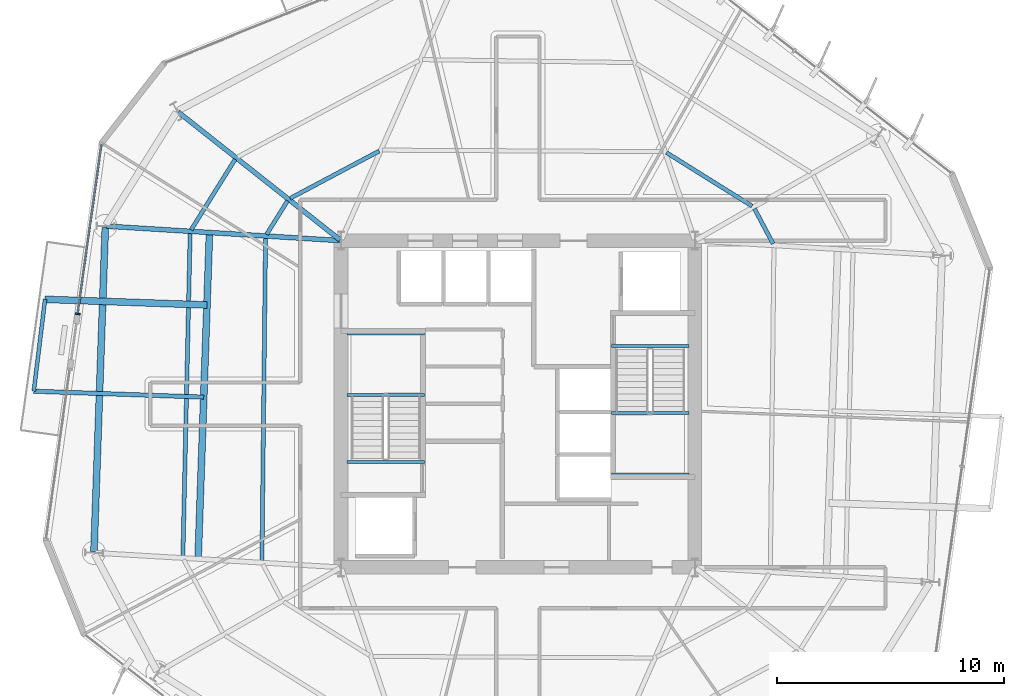
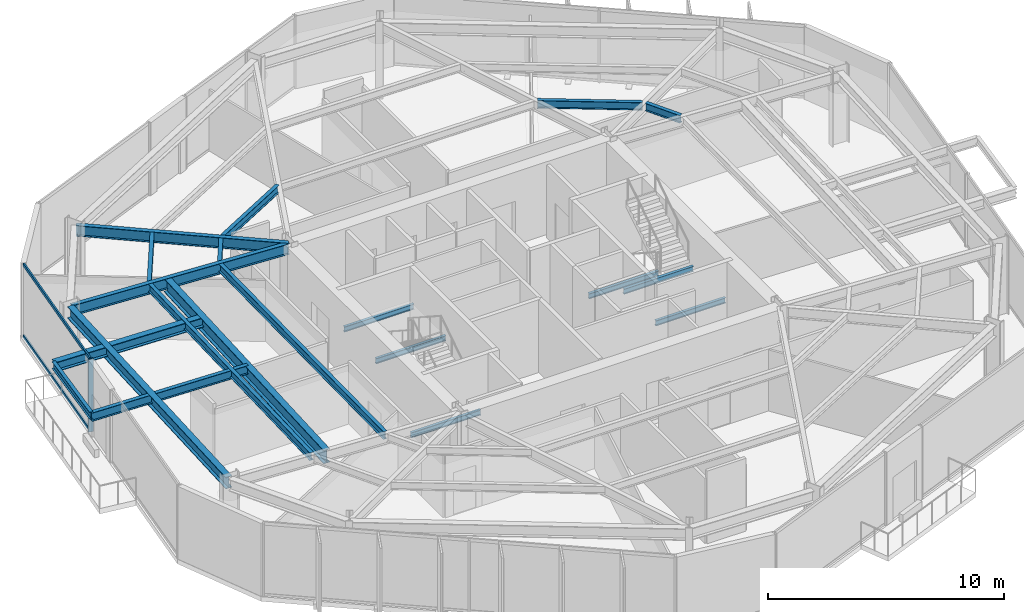
# One storey, part 3 of 12: 20 beams, 3 members, 1 element without a shape of its own.
"""IFC4 building model written with IfcOpenShell, lengths in metres."""

from ifc_helpers import new_model, si_unit, direction, frame, origin, origin_2d, place, context, subcontext, project, spatial, rectangle, i_section, extrude, material, layer, layer_set, material_profile, profile_set, type_object, element, aggregate, save


model = new_model("IFC4")

# Units and contexts
model_context = context("Model", 3, precision=1e-05, world=origin(), true_north=direction((0.0, 1.0)))
body_context = subcontext(model_context, "Body", "Model", "MODEL_VIEW")
ifc_project = project(units=[si_unit("LENGTHUNIT", "METRE"), si_unit("AREAUNIT", "SQUARE_METRE"), si_unit("VOLUMEUNIT", "CUBIC_METRE"), si_unit("PLANEANGLEUNIT", "RADIAN"), si_unit("MASSUNIT", "GRAM", prefix="KILO")], contexts=[model_context])

# Site, building, storey
site_placement = place(None, origin())
site = spatial("IfcSite", under=ifc_project, at=site_placement, CompositionType="ELEMENT")
building_placement = place(site_placement, origin())
building = spatial("IfcBuilding", under=site, at=building_placement, Name="Kranzbogen Civic Tower", CompositionType="ELEMENT")
storey_placement = place(building_placement, frame((0.0, 0.0, 110.39990234375)))
storey = spatial("IfcBuildingStorey", under=building, at=storey_placement, Name="L26", CompositionType="ELEMENT", Elevation=110.39990234375)

# Beam
ifc_material_1 = material(Name="Steel S355", Category="steel")
ifc_material_profile_1 = material_profile(ifc_material_1, i_section(OverallWidth=0.18994140625, OverallDepth=0.449951171875, WebThickness=0.009521484375, FlangeThickness=0.0146484375, at=origin_2d()), Name="IPE 450")
ifc_profile_set_1 = profile_set([ifc_material_profile_1], Name="Steel S355")
beam_type_1 = type_object("IfcBeamType", Name="Braced Terrace Edge Beam IPE 450", PredefinedType="BEAM", material=ifc_profile_set_1)
beam_1_placement = place(storey_placement, frame((11.15087890625, 25.302978515625, 3.525146484375), z_axis=(-0.99938925127, 0.034944591085, 0.0), x_axis=(-0.034944591085, -0.99938925127, 0.0)))
element("IfcBeam", 1, at=beam_1_placement, inside=storey, type_object=beam_type_1, Name="L27 back-spanned terrace beam L27-TB1-2", PredefinedType="BEAM", context=body_context, shape_type="SweptSolid", body=[
    extrude(i_section(OverallWidth=0.18994140625, OverallDepth=0.449951171875, WebThickness=0.009521484375, FlangeThickness=0.0146484375, at=origin_2d()), origin(), (0.0, 0.0, 1.0), 7.49658203125),
])

# Curtain wall, members
ifc_material_2 = material(Name="Pale Anodised Aluminium", Category="aluminium")
ifc_layer = layer(ifc_material_2, 0.219970703125, Name="Pale Anodised Aluminium")
ifc_layer_set = layer_set([ifc_layer], Name="Pale Anodised Aluminium")
curtain_wall_type = type_object("IfcCurtainWallType", Name="Zone 2 Stick Curtain Wall System CW-03", PredefinedType="USERDEFINED", material=ifc_layer_set)
curtain_wall_placement = place(storey_placement, origin())
curtain_wall = element("IfcCurtainWall", 2, at=curtain_wall_placement, inside=storey, type_object=curtain_wall_type, Name="L26 curtain wall CW-L26-F3-S1", ObjectType="STICK CURTAIN WALL", PredefinedType="USERDEFINED")
ifc_material_profile_2 = material_profile(ifc_material_2, rectangle(XDim=0.074951171875, YDim=0.219970703125, at=origin_2d()), Name="ALU-M 75x220")
ifc_profile_set_2 = profile_set([ifc_material_profile_2], Name="Pale Anodised Aluminium")
member_type_1 = type_object("IfcMemberType", Name="Curtain Wall Mullion ALU-M 75x220", PredefinedType="MULLION", material=ifc_profile_set_2)
member_1_placement = place(storey_placement, frame((5.59228515625, 28.9697265625, 0.0), z_axis=(0.0, 0.0, 1.0), x_axis=(-0.139110324934, -0.990276889308, 0.0)))
member_1 = element("IfcMember", 3, at=member_1_placement, type_object=member_type_1, Name="CW-03 mullion 2", PredefinedType="MULLION", context=body_context, shape_type="SweptSolid", body=[
    extrude(rectangle(XDim=0.074951171875, YDim=0.219970703125, at=origin_2d()), origin(), (0.0, 0.0, 1.0), 3.760009765625),
])
ifc_material_profile_3 = material_profile(ifc_material_2, rectangle(XDim=0.074951171875, YDim=0.1650390625, at=origin_2d()), Name="ALU-T 75x165")
ifc_profile_set_3 = profile_set([ifc_material_profile_3], Name="Pale Anodised Aluminium")
member_type_2 = type_object("IfcMemberType", Name="Curtain Wall Transom ALU-T 75x165", PredefinedType="USERDEFINED", material=ifc_profile_set_3)
member_2_placement = place(storey_placement, frame((6.6416015625, 36.440673828125, 0.030029296875), z_axis=(-0.139092042297, -0.990279457411, 0.0), x_axis=(0.990279457411, -0.139092042297, 0.0)))
member_2 = element("IfcMember", 4, at=member_2_placement, type_object=member_type_2, Name="CW-03 transom 1.1", ObjectType="TRANSOM", PredefinedType="USERDEFINED", context=body_context, shape_type="SweptSolid", body=[
    extrude(rectangle(XDim=0.074951171875, YDim=0.1650390625, at=origin_2d()), origin(), (0.0, 0.0, 1.0), 7.51416015625),
])
member_3_placement = place(storey_placement, frame((6.6416015625, 36.440673828125, 3.72998046875), z_axis=(-0.139092042297, -0.990279457411, 0.0), x_axis=(0.990279457411, -0.139092042297, 0.0)))
member_3 = element("IfcMember", 5, at=member_3_placement, type_object=member_type_2, Name="CW-03 transom 1.2", ObjectType="TRANSOM", PredefinedType="USERDEFINED", context=body_context, shape_type="SweptSolid", body=[
    extrude(rectangle(XDim=0.074951171875, YDim=0.1650390625, at=origin_2d()), origin(), (0.0, 0.0, 1.0), 7.51416015625),
])
aggregate(curtain_wall, [member_1, member_2, member_3])

# Beams
ifc_material_profile_4 = material_profile(ifc_material_1, i_section(OverallWidth=0.300048828125, OverallDepth=0.5, WebThickness=0.014404296875, FlangeThickness=0.028076171875, at=origin_2d()), Name="HEB 500")
ifc_profile_set_4 = profile_set([ifc_material_profile_4], Name="Steel S355")
beam_type_2 = type_object("IfcBeamType", Name="Perimeter Tube Spandrel Beam HEB 500", PredefinedType="SPANDREL", material=ifc_profile_set_4)
beam_2_placement = place(storey_placement, frame((11.29296875, 29.364990234375, 3.5), z_axis=(-0.99939166053, 0.034875619889, 0.0), x_axis=(-0.034875619889, -0.99939166053, 0.0)))
element("IfcBeam", 6, at=beam_2_placement, inside=storey, type_object=beam_type_2, Name="L27 back-spanned terrace beam L27-TB1-1", PredefinedType="SPANDREL", context=body_context, shape_type="SweptSolid", body=[
    extrude(i_section(OverallWidth=0.300048828125, OverallDepth=0.5, WebThickness=0.014404296875, FlangeThickness=0.028076171875, at=origin_2d()), origin(), (0.0, 0.0, 1.0), 7.140380859375),
])
ifc_material_profile_5 = material_profile(ifc_material_1, i_section(OverallWidth=0.300048828125, OverallDepth=0.60009765625, WebThickness=0.015380859375, FlangeThickness=0.030029296875, at=origin_2d()), Name="HEB 600")
ifc_profile_set_5 = profile_set([ifc_material_profile_5], Name="Steel S355")
beam_type_3 = type_object("IfcBeamType", Name="Perimeter Tube Spandrel Beam HEB 600", PredefinedType="SPANDREL", material=ifc_profile_set_5)
beam_3_placement = place(storey_placement, frame((6.81103515625, 32.783935546875, 3.460205078125), z_axis=(-0.034924229103, -0.999389963038, 0.0), x_axis=(0.999389963038, -0.034924229103, 0.0)))
element("IfcBeam", 7, at=beam_3_placement, inside=storey, type_object=beam_type_3, Name="L26 perimeter spandrel beam 12", PredefinedType="SPANDREL", context=body_context, shape_type="SweptSolid", body=[
    extrude(i_section(OverallWidth=0.300048828125, OverallDepth=0.60009765625, WebThickness=0.015380859375, FlangeThickness=0.030029296875, at=origin_2d()), origin(), (0.0, 0.0, 1.0), 14.288818359375),
])
ifc_material_profile_6 = material_profile(ifc_material_1, i_section(OverallWidth=0.300048828125, OverallDepth=0.699951171875, WebThickness=0.01708984375, FlangeThickness=0.031982421875, at=origin_2d()), Name="HEB 700")
ifc_profile_set_6 = profile_set([ifc_material_profile_6], Name="Steel S355")
beam_type_4 = type_object("IfcBeamType", Name="Perimeter Tube Spandrel Beam HEB 700", PredefinedType="SPANDREL", material=ifc_profile_set_6)
beam_4_placement = place(storey_placement, frame((11.404052734375, 32.55908203125, 3.400146484375), z_axis=(-0.034868227602, -0.99939191847, 0.0), x_axis=(0.99939191847, -0.034868227602, 0.0)))
element("IfcBeam", 8, at=beam_4_placement, inside=storey, type_object=beam_type_4, Name="L27 balcony back-span header girder L27-TB1", PredefinedType="SPANDREL", context=body_context, shape_type="SweptSolid", body=[
    extrude(i_section(OverallWidth=0.300048828125, OverallDepth=0.699951171875, WebThickness=0.01708984375, FlangeThickness=0.031982421875, at=origin_2d()), origin(), (0.0, 0.0, 1.0), 14.395751953125),
])
ifc_material_profile_7 = material_profile(ifc_material_1, i_section(OverallWidth=0.2099609375, OverallDepth=0.550048828125, WebThickness=0.010986328125, FlangeThickness=0.01708984375, at=origin_2d()), Name="IPE 550")
ifc_profile_set_7 = profile_set([ifc_material_profile_7], Name="Steel S355")
beam_type_5 = type_object("IfcBeamType", Name="Radial Tower Floor Girder IPE 550", PredefinedType="BEAM", material=ifc_profile_set_7)
beam_5_placement = place(storey_placement, frame((10.02392578125, 37.87109375, 3.485107421875), z_axis=(0.78457455683, -0.620034486763, 0.0), x_axis=(0.620034486763, 0.78457455683, 0.0)))
element("IfcBeam", 9, at=beam_5_placement, inside=storey, type_object=beam_type_5, Name="L26 radial floor girder 11", PredefinedType="BEAM", context=body_context, shape_type="SweptSolid", body=[
    extrude(i_section(OverallWidth=0.2099609375, OverallDepth=0.550048828125, WebThickness=0.010986328125, FlangeThickness=0.01708984375, at=origin_2d()), origin(), (0.0, 0.0, 1.0), 9.086669921875),
])
beam_6_placement = place(storey_placement, frame((6.873046875, 32.840087890625, 3.485107421875), z_axis=(0.998086872961, -0.061827130147, 0.0), x_axis=(0.061827130147, 0.998086872961, 0.0)))
element("IfcBeam", 10, at=beam_6_placement, inside=storey, type_object=beam_type_5, Name="L26 radial floor girder 12", PredefinedType="BEAM", context=body_context, shape_type="SweptSolid", body=[
    extrude(i_section(OverallWidth=0.2099609375, OverallDepth=0.550048828125, WebThickness=0.010986328125, FlangeThickness=0.01708984375, at=origin_2d()), origin(), (0.0, 0.0, 1.0), 10.28662109375),
])
ifc_material_profile_8 = material_profile(ifc_material_1, i_section(OverallWidth=0.169921875, OverallDepth=0.360107421875, WebThickness=0.008056640625, FlangeThickness=0.0126953125, at=origin_2d()), Name="IPE 360")
ifc_profile_set_8 = profile_set([ifc_material_profile_8], Name="Steel S355")
beam_type_6 = type_object("IfcBeamType", Name="Secondary Composite Floor Joist IPE 360", PredefinedType="JOIST", material=ifc_profile_set_8)
beam_7_placement = place(storey_placement, frame((4.156982421875, 29.614013671875, 3.570068359375), z_axis=(-0.122082645396, -0.992519938184, 0.0), x_axis=(0.992519938184, -0.122082645396, 0.0)))
element("IfcBeam", 11, at=beam_7_placement, inside=storey, type_object=beam_type_6, Name="L27 terrace outer edge trimmer L27-TB1", PredefinedType="JOIST", context=body_context, shape_type="SweptSolid", body=[
    extrude(i_section(OverallWidth=0.169921875, OverallDepth=0.360107421875, WebThickness=0.008056640625, FlangeThickness=0.0126953125, at=origin_2d()), origin(), (0.0, 0.0, 1.0), 4.07958984375),
])
ifc_material_profile_9 = material_profile(ifc_material_1, i_section(OverallWidth=0.179931640625, OverallDepth=0.39990234375, WebThickness=0.008544921875, FlangeThickness=0.013427734375, at=origin_2d()), Name="IPE 400")
ifc_profile_set_9 = profile_set([ifc_material_profile_9], Name="Steel S355")
beam_type_7 = type_object("IfcBeamType", Name="Secondary Composite Floor Joist IPE 400", PredefinedType="JOIST", material=ifc_profile_set_9)
beam_8_placement = place(storey_placement, frame((36.2470703125, 32.06494140625, 3.56005859375), z_axis=(-0.46943723363, 0.882965845139, 0.0), x_axis=(-0.882965845139, -0.46943723363, 0.0)))
element("IfcBeam", 12, at=beam_8_placement, inside=storey, type_object=beam_type_7, Name="L26 secondary floor joist 2.07", PredefinedType="JOIST", context=body_context, shape_type="SweptSolid", body=[
    extrude(i_section(OverallWidth=0.179931640625, OverallDepth=0.39990234375, WebThickness=0.008544921875, FlangeThickness=0.013427734375, at=origin_2d()), origin(), (0.0, 0.0, 1.0), 1.7509765625),
])
beam_9_placement = place(storey_placement, frame((35.320068359375, 33.72412109375, 3.56005859375), z_axis=(-0.848093834398, 0.529846060716, 0.0), x_axis=(-0.529846060716, -0.848093834398, 0.0)))
element("IfcBeam", 13, at=beam_9_placement, inside=storey, type_object=beam_type_7, Name="L26 secondary floor joist 2.08", PredefinedType="JOIST", context=body_context, shape_type="SweptSolid", body=[
    extrude(i_section(OverallWidth=0.179931640625, OverallDepth=0.39990234375, WebThickness=0.008544921875, FlangeThickness=0.013427734375, at=origin_2d()), origin(), (0.0, 0.0, 1.0), 4.4501953125),
])
beam_10_placement = place(storey_placement, frame((18.888916015625, 36.153076171875, 3.56005859375), z_axis=(-0.882991399158, -0.469389165844, 0.0), x_axis=(0.469389165844, -0.882991399158, 0.0)))
element("IfcBeam", 14, at=beam_10_placement, inside=storey, type_object=beam_type_7, Name="L26 secondary floor joist 2.10", PredefinedType="JOIST", context=body_context, shape_type="SweptSolid", body=[
    extrude(i_section(OverallWidth=0.179931640625, OverallDepth=0.39990234375, WebThickness=0.008544921875, FlangeThickness=0.013427734375, at=origin_2d()), origin(), (0.0, 0.0, 1.0), 4.45068359375),
])
beam_11_placement = place(storey_placement, frame((12.534912109375, 35.784912109375, 3.56005859375), z_axis=(-0.529867065107, -0.848080711557, 0.0), x_axis=(0.848080711557, -0.529867065107, 0.0)))
element("IfcBeam", 15, at=beam_11_placement, inside=storey, type_object=beam_type_7, Name="L26 secondary floor joist 1.11", PredefinedType="JOIST", context=body_context, shape_type="SweptSolid", body=[
    extrude(i_section(OverallWidth=0.179931640625, OverallDepth=0.39990234375, WebThickness=0.008544921875, FlangeThickness=0.013427734375, at=origin_2d()), origin(), (0.0, 0.0, 1.0), 3.6611328125),
])
beam_12_placement = place(storey_placement, frame((14.845947265625, 33.958984375, 3.56005859375), z_axis=(-0.529572623603, -0.84826460278, 0.0), x_axis=(0.84826460278, -0.529572623603, 0.0)))
element("IfcBeam", 16, at=beam_12_placement, inside=storey, type_object=beam_type_7, Name="L26 secondary floor joist 2.11", PredefinedType="JOIST", context=body_context, shape_type="SweptSolid", body=[
    extrude(i_section(OverallWidth=0.179931640625, OverallDepth=0.39990234375, WebThickness=0.008544921875, FlangeThickness=0.013427734375, at=origin_2d()), origin(), (0.0, 0.0, 1.0), 1.75048828125),
])
beam_13_placement = place(storey_placement, frame((10.551025390625, 32.531982421875, 3.56005859375), z_axis=(-0.022402523442, -0.999749031979, 0.0), x_axis=(0.999749031979, -0.022402523442, 0.0)))
element("IfcBeam", 17, at=beam_13_placement, inside=storey, type_object=beam_type_7, Name="L26 secondary floor joist 1.12", PredefinedType="JOIST", context=body_context, shape_type="SweptSolid", body=[
    extrude(i_section(OverallWidth=0.179931640625, OverallDepth=0.39990234375, WebThickness=0.008544921875, FlangeThickness=0.013427734375, at=origin_2d()), origin(), (0.0, 0.0, 1.0), 14.24365234375),
])
beam_14_placement = place(storey_placement, frame((13.875, 32.325927734375, 3.56005859375), z_axis=(-0.011160516663, -0.999937719494, 0.0), x_axis=(0.999937719494, -0.011160516663, 0.0)))
element("IfcBeam", 18, at=beam_14_placement, inside=storey, type_object=beam_type_7, Name="L26 secondary floor joist 2.12", PredefinedType="JOIST", context=body_context, shape_type="SweptSolid", body=[
    extrude(i_section(OverallWidth=0.179931640625, OverallDepth=0.39990234375, WebThickness=0.008544921875, FlangeThickness=0.013427734375, at=origin_2d()), origin(), (0.0, 0.0, 1.0), 14.240966796875),
])
ifc_material_profile_10 = material_profile(ifc_material_1, i_section(OverallWidth=0.135009765625, OverallDepth=0.27001953125, WebThickness=0.006591796875, FlangeThickness=0.01025390625, at=origin_2d()), Name="IPE 270")
ifc_profile_set_10 = profile_set([ifc_material_profile_10], Name="Steel S355")
beam_type_8 = type_object("IfcBeamType", Name="Stair Landing Support Beam IPE 270", PredefinedType="JOIST", material=ifc_profile_set_10)
for number, where, z_axis, x_axis, name in (
    (19, (20.8798828125, 22.43994140625, -0.375), (-1.0, 0.0, 0.0), (0.0, -1.0, 0.0), "L26 ST-T1 stair floor header beam"),
    (20, (20.8798828125, 25.39990234375, 1.6650390625), (-1.0, 0.0, 0.0), (0.0, -1.0, 0.0), "L26 ST-T1 landing support beam 1.1"),
    (21, (20.8798828125, 28.10009765625, 1.6650390625), (-1.0, 0.0, 0.0), (0.0, -1.0, 0.0), "L26 ST-T1 landing support beam 1.2"),
    (22, (29.1201171875, 27.56005859375, -0.375), (1.0, 0.0, 0.0), (0.0, 1.0, 0.0), "L26 ST-T2 stair floor header beam"),
    (23, (29.1201171875, 24.60009765625, 1.6650390625), (1.0, 0.0, 0.0), (0.0, 1.0, 0.0), "L26 ST-T2 landing support beam 1.1"),
    (24, (29.1201171875, 21.89990234375, 1.6650390625), (1.0, 0.0, 0.0), (0.0, 1.0, 0.0), "L26 ST-T2 landing support beam 1.2"),
):
    element("IfcBeam", number, at=place(storey_placement, frame(where, z_axis=z_axis, x_axis=x_axis)), inside=storey, type_object=beam_type_8, Name=name, PredefinedType="JOIST", context=body_context, shape_type="SweptSolid", body=[
        extrude(i_section(OverallWidth=0.135009765625, OverallDepth=0.27001953125, WebThickness=0.006591796875, FlangeThickness=0.01025390625, at=origin_2d()), origin(), (0.0, 0.0, 1.0), 3.409912109375),
    ])

save(model, "model.ifc")
